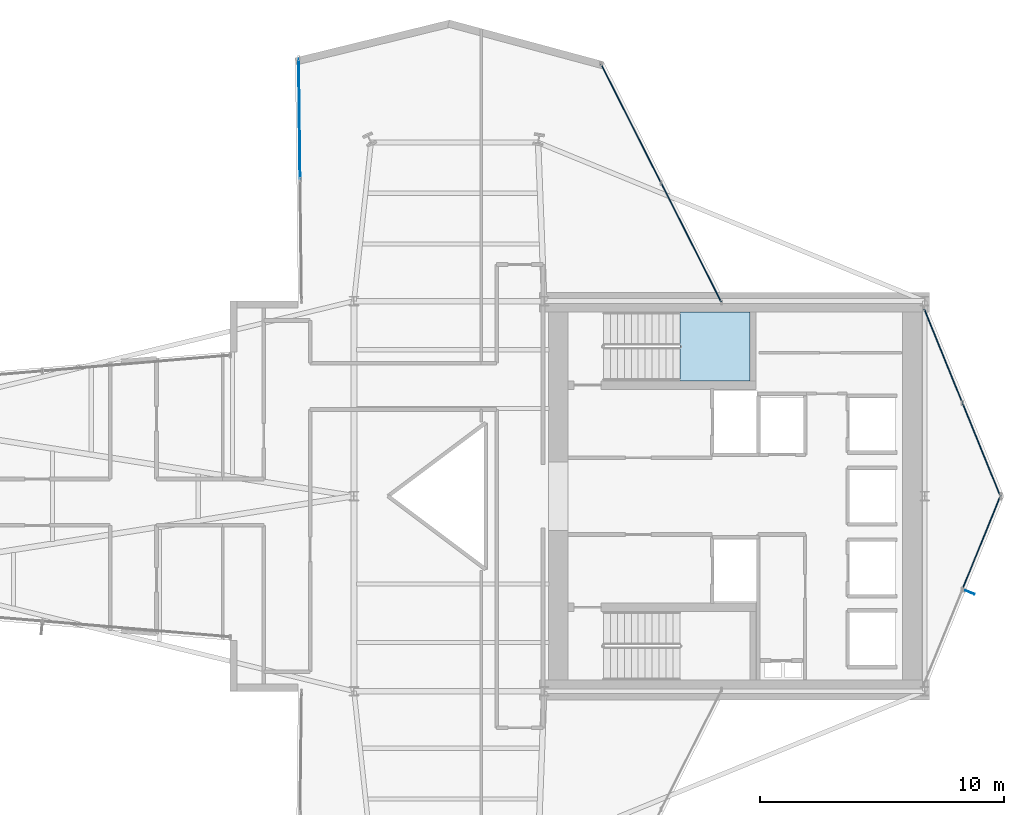
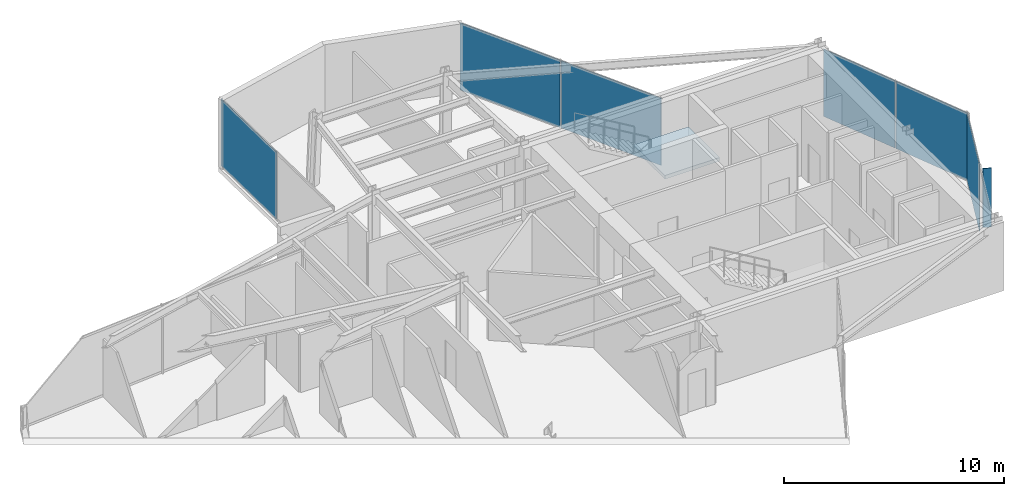
# One storey, part 21 of 25: 7 plates, 1 slab, 5 elements without a shape of their own.
"""IFC4 building model written with IfcOpenShell, lengths in metres."""

from ifc_helpers import new_model, si_unit, direction, frame, origin, origin_2d, place, context, subcontext, project, spatial, polyline, rectangle, outline, extrude, material, layer, layer_set, type_object, element, aggregate, save


model = new_model("IFC4")

# Units and contexts
model_context = context("Model", 3, precision=1e-05, world=origin(), true_north=direction((0.0, 1.0)))
body_context = subcontext(model_context, "Body", "Model", "MODEL_VIEW")
ifc_project = project(units=[si_unit("LENGTHUNIT", "METRE"), si_unit("AREAUNIT", "SQUARE_METRE"), si_unit("VOLUMEUNIT", "CUBIC_METRE"), si_unit("PLANEANGLEUNIT", "RADIAN"), si_unit("MASSUNIT", "GRAM", prefix="KILO")], contexts=[model_context])

# Site, building, storey
site_placement = place(None, origin())
site = spatial("IfcSite", under=ifc_project, at=site_placement, CompositionType="ELEMENT")
building_placement = place(site_placement, origin())
building = spatial("IfcBuilding", under=site, at=building_placement, Name="Veymaron Broadcast Tower", CompositionType="ELEMENT")
storey_placement = place(building_placement, frame((0.0, 0.0, 137.10009765625)))
storey = spatial("IfcBuildingStorey", under=building, at=storey_placement, Name="L31", CompositionType="ELEMENT", Elevation=137.10009765625)

# Curtain wall, plate
ifc_material_1 = material(Name="Anodised aluminium AA 6063-T6 and laminated low-E dark glass", Category="aluminium")
ifc_layer_1 = layer(ifc_material_1, 0.179931640625)
ifc_layer_set_1 = layer_set([ifc_layer_1], Name="Anodised aluminium AA 6063-T6 and laminated low-E dark glass")
curtain_wall_type = type_object("IfcCurtainWallType", Name="CW-SYS-03", PredefinedType="NOTDEFINED", material=ifc_layer_set_1)
curtain_wall_1_placement = place(storey_placement, origin())
curtain_wall_1 = element("IfcCurtainWall", 1, at=curtain_wall_1_placement, inside=storey, type_object=curtain_wall_type, Name="L31 dark-glass curtain wall CW-L31-E2-1", PredefinedType="NOTDEFINED")
ifc_material_2 = material(Name="Insulated dark-anodised aluminium spandrel panel 40 mm", Category="aluminium")
ifc_layer_2 = layer(ifc_material_2, 0.0400390625)
ifc_layer_set_2 = layer_set([ifc_layer_2], Name="Insulated dark-anodised aluminium spandrel panel 40 mm")
plate_type_1 = type_object("IfcPlateType", Name="CW-PNL-03", PredefinedType="CURTAIN_PANEL", material=ifc_layer_set_2)
plate_1_placement = place(storey_placement, frame((56.937255859375, 22.11572265625, 0.039794921875), z_axis=(0.0, 0.0, 1.0), x_axis=(0.376871010412, 0.926265751019, 0.0)))
plate_1 = element("IfcPlate", 2, at=plate_1_placement, type_object=plate_type_1, Name="CW-L31-E2-1 unitised curtain panel 1", PredefinedType="CURTAIN_PANEL", context=body_context, shape_type="SweptSolid", body=[
    extrude(rectangle(XDim=4.122314453125, YDim=0.0400390625, at=origin_2d()), origin(), (0.0, 0.0, 1.0), 3.72998046875),
])
aggregate(curtain_wall_1, [plate_1])

# Curtain wall, plates
curtain_wall_2_placement = place(storey_placement, origin())
curtain_wall_2 = element("IfcCurtainWall", 3, at=curtain_wall_2_placement, inside=storey, type_object=curtain_wall_type, Name="L31 dark-glass curtain wall CW-L31-E3-1", PredefinedType="NOTDEFINED")
plate_2_placement = place(storey_placement, frame((56.937255859375, 25.88427734375, 0.039794921875), z_axis=(0.0, 0.0, 1.0), x_axis=(-0.376871010412, 0.926265751019, 0.0)))
plate_2 = element("IfcPlate", 4, at=plate_2_placement, type_object=plate_type_1, Name="CW-L31-E3-1 unitised curtain panel 0", PredefinedType="CURTAIN_PANEL", context=body_context, shape_type="SweptSolid", body=[
    extrude(rectangle(XDim=4.122314453125, YDim=0.0400390625, at=origin_2d()), origin(), (0.0, 0.0, 1.0), 3.72998046875),
])
plate_3_placement = place(storey_placement, frame((55.361083984375, 29.758056640625, 0.039794921875), z_axis=(0.0, 0.0, 1.0), x_axis=(-0.376871010412, 0.926265751019, 0.0)))
plate_3 = element("IfcPlate", 5, at=plate_3_placement, type_object=plate_type_1, Name="CW-L31-E3-1 unitised curtain panel 1", PredefinedType="CURTAIN_PANEL", context=body_context, shape_type="SweptSolid", body=[
    extrude(rectangle(XDim=4.122314453125, YDim=0.0400390625, at=origin_2d()), origin(), (0.0, 0.0, 1.0), 3.72998046875),
])
aggregate(curtain_wall_2, [plate_2, plate_3])

curtain_wall_3_placement = place(storey_placement, origin())
curtain_wall_3 = element("IfcCurtainWall", 6, at=curtain_wall_3_placement, inside=storey, type_object=curtain_wall_type, Name="L31 dark-glass curtain wall CW-L31-E5-1", PredefinedType="NOTDEFINED")
plate_4_placement = place(storey_placement, frame((45.031982421875, 34.389404296875, 0.039794921875), z_axis=(0.0, 0.0, 1.0), x_axis=(-0.450908697538, 0.892570079313, 0.0)))
plate_4 = element("IfcPlate", 7, at=plate_4_placement, type_object=plate_type_1, Name="CW-L31-E5-1 unitised curtain panel 0", PredefinedType="CURTAIN_PANEL", context=body_context, shape_type="SweptSolid", body=[
    extrude(rectangle(XDim=5.435302734375, YDim=0.0400390625, at=origin_2d()), origin(), (0.0, 0.0, 1.0), 3.72998046875),
])
plate_5_placement = place(storey_placement, frame((42.553955078125, 39.29443359375, 0.039794921875), z_axis=(0.0, 0.0, 1.0), x_axis=(-0.450908697538, 0.892570079313, 0.0)))
plate_5 = element("IfcPlate", 8, at=plate_5_placement, type_object=plate_type_1, Name="CW-L31-E5-1 unitised curtain panel 1", PredefinedType="CURTAIN_PANEL", context=body_context, shape_type="SweptSolid", body=[
    extrude(rectangle(XDim=5.435302734375, YDim=0.0400390625, at=origin_2d()), origin(), (0.0, 0.0, 1.0), 3.72998046875),
])
aggregate(curtain_wall_3, [plate_4, plate_5])

# Curtain wall, plate
curtain_wall_4_placement = place(storey_placement, origin())
curtain_wall_4 = element("IfcCurtainWall", 9, at=curtain_wall_4_placement, inside=storey, type_object=curtain_wall_type, Name="L31 dark-glass curtain wall CW-L31-E8-1", PredefinedType="NOTDEFINED")
plate_6_placement = place(storey_placement, frame((28.960205078125, 39.4755859375, 0.039794921875), z_axis=(0.0, 0.0, 1.0), x_axis=(0.012077384797, -0.999927065729, 0.0)))
plate_6 = element("IfcPlate", 10, at=plate_6_placement, type_object=plate_type_1, Name="CW-L31-E8-1 unitised curtain panel 0", PredefinedType="CURTAIN_PANEL", context=body_context, shape_type="SweptSolid", body=[
    extrude(rectangle(XDim=4.9228515625, YDim=0.0400390625, at=origin_2d()), origin(), (0.0, 0.0, 1.0), 3.72998046875),
])
aggregate(curtain_wall_4, [plate_6])

# Plate
ifc_material_3 = material(Name="Dark-anodised aluminium AA 6061-T6", Category="aluminium")
ifc_layer_3 = layer(ifc_material_3, 0.031982421875)
ifc_layer_set_3 = layer_set([ifc_layer_3], Name="Dark-anodised aluminium AA 6061-T6")
plate_type_2 = type_object("IfcPlateType", Name="FIN-CHEV-03", PredefinedType="USERDEFINED", material=ifc_layer_set_3)
plate_7_placement = place(storey_placement, frame((56.454833984375, 20.054443359375, 0.2666015625), z_axis=(0.0, 0.0, 1.0), x_axis=(0.926265751019, -0.376871010412, 0.0)))
element("IfcPlate", 11, at=plate_7_placement, inside=storey, type_object=plate_type_2, Name="CW-L31-E2-1 chevron fin 1", ObjectType="FIN", PredefinedType="USERDEFINED", context=body_context, shape_type="SweptSolid", body=[
    extrude(rectangle(XDim=0.39990234375, YDim=0.034912109375, at=origin_2d()), origin(), (0.0, 0.0, 1.0), 3.276611328125),
])

# Stair, slab
ifc_material_4 = material(Name="Concrete C50/60", Category="concrete")
stair_type = type_object("IfcStairType", Name="STAIR-CORE-1", PredefinedType="HALF_TURN_STAIR", material=ifc_material_4)
stair_placement = place(storey_placement, origin())
stair = element("IfcStair", 12, at=stair_placement, inside=storey, type_object=stair_type, Name="L31 North protected dog-leg exit stair ST1", PredefinedType="HALF_TURN_STAIR")
ifc_layer_4 = layer(ifc_material_4, 0.199951171875)
ifc_layer_set_4 = layer_set([ifc_layer_4], Name="Concrete C50/60")
slab_type = type_object("IfcSlabType", Name="SLAB-STAIR-LDG", PredefinedType="LANDING", material=ifc_layer_set_4)
slab_placement = place(storey_placement, frame((0.0, 0.0, 1.824951171875)))
slab = element("IfcSlab", 13, at=slab_placement, type_object=slab_type, Name="ST1 landing 1", PredefinedType="LANDING", context=body_context, shape_type="SweptSolid", body=[
    extrude(outline(polyline([(44.56494140625, 28.72998046875), (47.43994140625, 28.72998046875), (47.43994140625, 31.550048828125), (44.56494140625, 31.550048828125), (44.56494140625, 28.72998046875)])), origin(), (0.0, 0.0, 1.0), 0.199951171875),
])
aggregate(stair, [slab])

save(model, "model.ifc")
